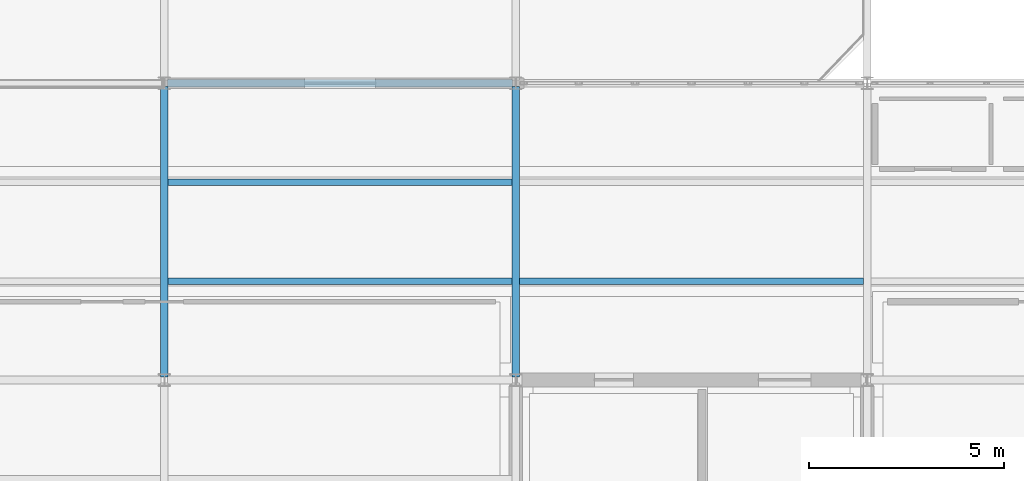
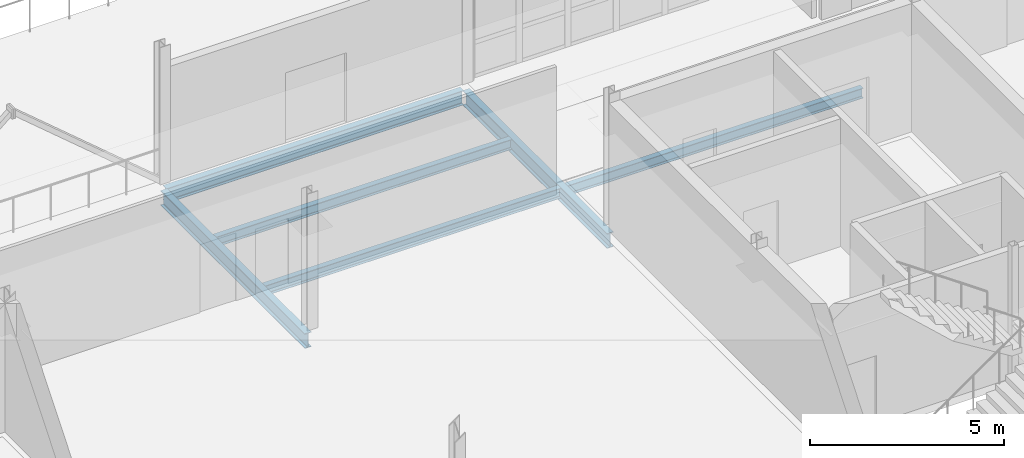
# One storey, part 61 of 166: 6 beams.
"""IFC4 building model written with IfcOpenShell, lengths in metres."""

from ifc_helpers import new_model, si_unit, direction, frame, origin, origin_2d, place, context, subcontext, project, spatial, i_section, extrude, material, material_profile, profile_set, type_object, element, save


model = new_model("IFC4")

# Units and contexts
model_context = context("Model", 3, precision=1e-05, world=origin(), true_north=direction((0.0, 1.0)))
body_context = subcontext(model_context, "Body", "Model", "MODEL_VIEW")
ifc_project = project(units=[si_unit("LENGTHUNIT", "METRE"), si_unit("AREAUNIT", "SQUARE_METRE"), si_unit("VOLUMEUNIT", "CUBIC_METRE"), si_unit("PLANEANGLEUNIT", "RADIAN"), si_unit("MASSUNIT", "GRAM", prefix="KILO")], contexts=[model_context])

# Site, building, storey
site_placement = place(None, origin())
site = spatial("IfcSite", under=ifc_project, at=site_placement, CompositionType="ELEMENT")
building_placement = place(site_placement, origin())
building = spatial("IfcBuilding", under=site, at=building_placement, Name="Caisbarro Railhouse Central Library", CompositionType="ELEMENT")
storey_placement = place(building_placement, frame((0.0, 0.0, 9.360107421875)))
storey = spatial("IfcBuildingStorey", under=building, at=storey_placement, Name="L02", CompositionType="ELEMENT", Elevation=9.360107421875)

# Beams
ifc_material = material(Name="Steel ASTM A572 Grade 50", Category="steel")
ifc_material_profile_1 = material_profile(ifc_material, i_section(OverallWidth=0.194091796875, OverallDepth=0.468994140625, WebThickness=0.0126953125, FlangeThickness=0.0205078125, FilletRadius=0.01806640625, at=origin_2d()), Name="W460X106.0")
ifc_profile_set_1 = profile_set([ifc_material_profile_1], Name="Steel ASTM A572 Grade 50")
beam_type_1 = type_object("IfcBeamType", Name="BM-G07", PredefinedType="BEAM", material=ifc_profile_set_1)
for number, where, z_axis, x_axis, name in (
    (1, (81.0, 15.280029296875, -0.474609375), (0.0, 1.0, 0.0), (-1.0, 0.0, 0.0), "G07 beam L02 #1313"),
    (2, (90.0, 15.280029296875, -0.474609375), (0.0, 1.0, 0.0), (-1.0, 0.0, 0.0), "G07 beam L02 #1316"),
):
    element("IfcBeam", number, at=place(storey_placement, frame(where, z_axis=z_axis, x_axis=x_axis)), inside=storey, type_object=beam_type_1, Name=name, PredefinedType="BEAM", context=body_context, shape_type="SweptSolid", body=[
        extrude(i_section(OverallWidth=0.194091796875, OverallDepth=0.468994140625, WebThickness=0.0126953125, FlangeThickness=0.0205078125, FilletRadius=0.01806640625, at=origin_2d()), origin(), (0.0, 0.0, 1.0), 7.43994140625),
    ])
ifc_material_profile_2 = material_profile(ifc_material, i_section(OverallWidth=0.1669921875, OverallDepth=0.31689453125, WebThickness=0.007568359375, FlangeThickness=0.01318359375, FilletRadius=0.011962890625, at=origin_2d()), Name="W310X52.0")
ifc_profile_set_2 = profile_set([ifc_material_profile_2], Name="Steel ASTM A572 Grade 50")
beam_type_2 = type_object("IfcBeamType", Name="BM-J02", PredefinedType="JOIST", material=ifc_profile_set_2)
for number, where, z_axis, x_axis, name in (
    (3, (81.096923828125, 17.7333984375, -0.398681640625), (1.0, 0.0, 0.0), (0.0, 1.0, 0.0), "J02 beam L02 #1341"),
    (4, (81.096923828125, 20.2666015625, -0.398681640625), (1.0, 0.0, 0.0), (0.0, 1.0, 0.0), "J02 beam L02 #1342"),
    (5, (90.096923828125, 17.7333984375, -0.398681640625), (1.0, 0.0, 0.0), (0.0, 1.0, 0.0), "J02 beam L02 #1343"),
):
    element("IfcBeam", number, at=place(storey_placement, frame(where, z_axis=z_axis, x_axis=x_axis)), inside=storey, type_object=beam_type_2, Name=name, PredefinedType="JOIST", context=body_context, shape_type="SweptSolid", body=[
        extrude(i_section(OverallWidth=0.1669921875, OverallDepth=0.31689453125, WebThickness=0.007568359375, FlangeThickness=0.01318359375, FilletRadius=0.011962890625, at=origin_2d()), origin(), (0.0, 0.0, 1.0), 8.80615234375),
    ])
ifc_material_profile_3 = material_profile(ifc_material, i_section(OverallWidth=0.18994140625, OverallDepth=0.45703125, WebThickness=0.009033203125, FlangeThickness=0.014404296875, FilletRadius=0.01806640625, at=origin_2d()), Name="W460X74.0")
ifc_profile_set_3 = profile_set([ifc_material_profile_3], Name="Steel ASTM A572 Grade 50")
beam_type_3 = type_object("IfcBeamType", Name="BM-SP01", PredefinedType="SPANDREL", material=ifc_profile_set_3)
beam_placement = place(storey_placement, frame((81.080078125, 22.800048828125, -0.468505859375), z_axis=(1.0, 0.0, 0.0), x_axis=(0.0, 1.0, 0.0)))
element("IfcBeam", 6, at=beam_placement, inside=storey, type_object=beam_type_3, Name="SP01 beam L02 #1299", PredefinedType="SPANDREL", context=body_context, shape_type="SweptSolid", body=[
    extrude(i_section(OverallWidth=0.18994140625, OverallDepth=0.45703125, WebThickness=0.009033203125, FlangeThickness=0.014404296875, FilletRadius=0.01806640625, at=origin_2d()), origin(), (0.0, 0.0, 1.0), 8.83984375),
])

save(model, "model.ifc")
